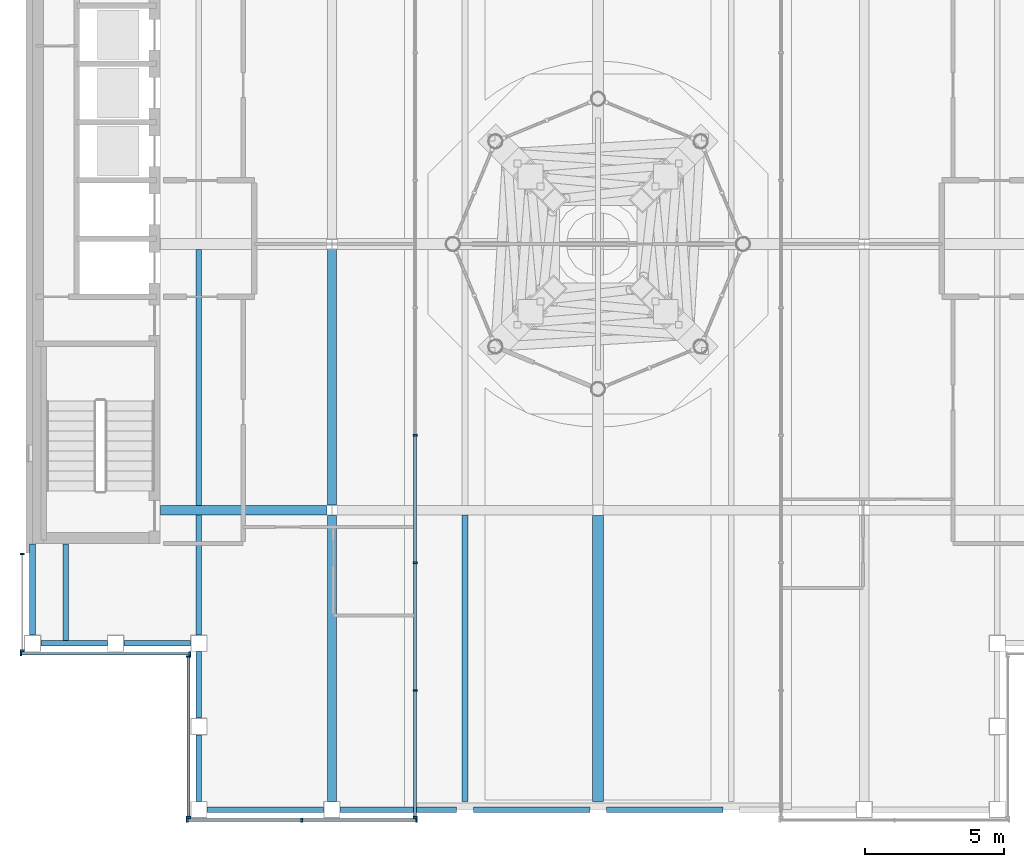
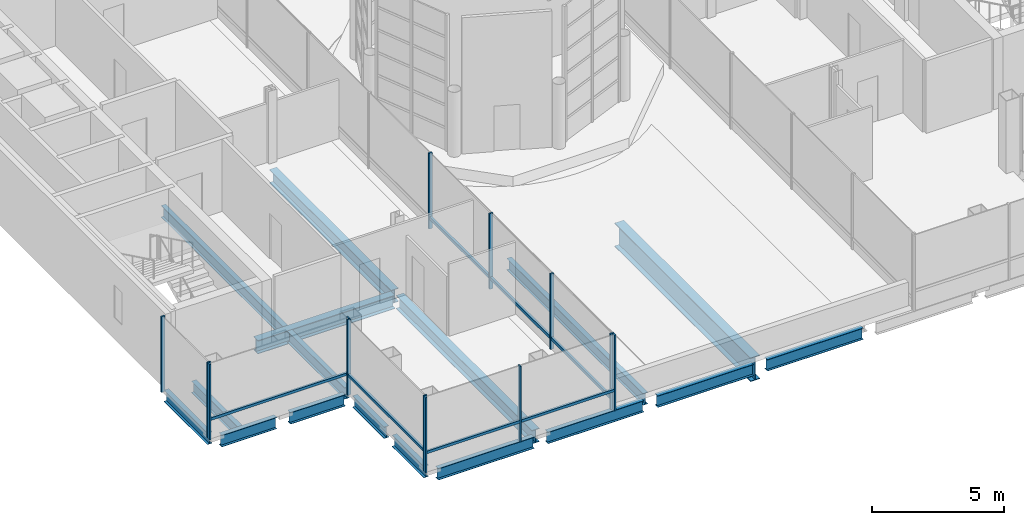
# One storey, part 5 of 32: 20 members, 17 beams, 5 elements without a shape of their own.
"""IFC4 building model written with IfcOpenShell, lengths in metres."""

from ifc_helpers import new_model, si_unit, direction, frame, origin, origin_2d, place, context, subcontext, project, spatial, rectangle, i_section, extrude, material, material_profile, profile_set, type_object, element, aggregate, save


model = new_model("IFC4")

# Units and contexts
model_context = context("Model", 3, precision=1e-05, world=origin(), true_north=direction((0.0, 1.0)))
body_context = subcontext(model_context, "Body", "Model", "MODEL_VIEW")
ifc_project = project(units=[si_unit("LENGTHUNIT", "METRE"), si_unit("AREAUNIT", "SQUARE_METRE"), si_unit("VOLUMEUNIT", "CUBIC_METRE"), si_unit("PLANEANGLEUNIT", "RADIAN"), si_unit("MASSUNIT", "GRAM", prefix="KILO")], contexts=[model_context])

# Site, building, storey
site_placement = place(None, origin())
site = spatial("IfcSite", under=ifc_project, at=site_placement, CompositionType="ELEMENT")
building_placement = place(site_placement, origin())
building = spatial("IfcBuilding", under=site, at=building_placement, Name="Cobrizo Arcos Hotel Tower", CompositionType="ELEMENT")
storey_placement = place(building_placement, frame((0.0, 0.0, 265.5)))
storey = spatial("IfcBuildingStorey", under=building, at=storey_placement, Name="L70", CompositionType="ELEMENT", Elevation=265.5)

# Curtain wall, members
ifc_material_1 = material(Name="Aluminium 6063-T6 anodised bronze", Category="aluminium")
curtain_wall_type_1 = type_object("IfcCurtainWallType", Name="CW-A guest facade", PredefinedType="NOTDEFINED", material=ifc_material_1)
curtain_wall_1_placement = place(storey_placement, origin())
curtain_wall_1 = element("IfcCurtainWall", 1, at=curtain_wall_1_placement, inside=storey, type_object=curtain_wall_type_1, Name="CW-A L70 S face", PredefinedType="NOTDEFINED")
ifc_material_profile_1 = material_profile(ifc_material_1, rectangle(XDim=0.14990234375, YDim=0.06005859375, at=origin_2d()), Name="CW-A mullion 150x60")
ifc_profile_set_1 = profile_set([ifc_material_profile_1], Name="Aluminium 6063-T6 anodised bronze")
member_type_1 = type_object("IfcMemberType", Name="CW-A mullion 150x60", PredefinedType="MULLION", material=ifc_profile_set_1)
member_1_placement = place(storey_placement, frame((-14.820068359375, -20.77490234375, 0.0), z_axis=(0.0, 0.0, 1.0), x_axis=(0.0, -1.0, 0.0)))
member_1 = element("IfcMember", 2, at=member_1_placement, type_object=member_type_1, Name="CW-A mullion 1", PredefinedType="MULLION", context=body_context, shape_type="SweptSolid", body=[
    extrude(rectangle(XDim=0.14990234375, YDim=0.06005859375, at=origin_2d()), origin(), (0.0, 0.0, 1.0), 3.5),
])
member_2_placement = place(storey_placement, frame((-10.68701171875, -20.77490234375, 0.0), z_axis=(0.0, 0.0, 1.0), x_axis=(0.0, -1.0, 0.0)))
member_2 = element("IfcMember", 3, at=member_2_placement, type_object=member_type_1, Name="CW-A mullion 2", PredefinedType="MULLION", context=body_context, shape_type="SweptSolid", body=[
    extrude(rectangle(XDim=0.14990234375, YDim=0.06005859375, at=origin_2d()), origin(), (0.0, 0.0, 1.0), 3.5),
])
member_3_placement = place(storey_placement, frame((-6.553955078125, -20.77490234375, 0.0), z_axis=(0.0, 0.0, 1.0), x_axis=(0.0, -1.0, 0.0)))
member_3 = element("IfcMember", 4, at=member_3_placement, type_object=member_type_1, Name="CW-A mullion 3", PredefinedType="MULLION", context=body_context, shape_type="SweptSolid", body=[
    extrude(rectangle(XDim=0.14990234375, YDim=0.06005859375, at=origin_2d()), origin(), (0.0, 0.0, 1.0), 3.5),
])

curtain_wall_2_placement = place(storey_placement, origin())
curtain_wall_2 = element("IfcCurtainWall", 5, at=curtain_wall_2_placement, inside=storey, type_object=curtain_wall_type_1, Name="CW-A L70 W face", PredefinedType="NOTDEFINED")
member_4_placement = place(storey_placement, frame((-20.77490234375, -11.179931640625, 0.0), z_axis=(0.0, 0.0, 1.0), x_axis=(-1.0, 0.0, 0.0)))
member_4 = element("IfcMember", 6, at=member_4_placement, type_object=member_type_1, Name="CW-A mullion 1", PredefinedType="MULLION", context=body_context, shape_type="SweptSolid", body=[
    extrude(rectangle(XDim=0.14990234375, YDim=0.06005859375, at=origin_2d()), origin(), (0.0, 0.0, 1.0), 3.5),
])
member_5_placement = place(storey_placement, frame((-20.77490234375, -14.669921875, 0.0), z_axis=(0.0, 0.0, 1.0), x_axis=(-1.0, 0.0, 0.0)))
member_5 = element("IfcMember", 7, at=member_5_placement, type_object=member_type_1, Name="CW-A mullion 2", PredefinedType="MULLION", context=body_context, shape_type="SweptSolid", body=[
    extrude(rectangle(XDim=0.14990234375, YDim=0.06005859375, at=origin_2d()), origin(), (0.0, 0.0, 1.0), 3.5),
])
aggregate(curtain_wall_2, [member_4, member_5])

curtain_wall_3_placement = place(storey_placement, origin())
curtain_wall_3 = element("IfcCurtainWall", 8, at=curtain_wall_3_placement, inside=storey, type_object=curtain_wall_type_1, Name="CW-A L70 S face", PredefinedType="NOTDEFINED")
member_6_placement = place(storey_placement, frame((-20.820068359375, -14.77490234375, 0.0), z_axis=(0.0, 0.0, 1.0), x_axis=(0.0, -1.0, 0.0)))
member_6 = element("IfcMember", 9, at=member_6_placement, type_object=member_type_1, Name="CW-A mullion 1", PredefinedType="MULLION", context=body_context, shape_type="SweptSolid", body=[
    extrude(rectangle(XDim=0.14990234375, YDim=0.06005859375, at=origin_2d()), origin(), (0.0, 0.0, 1.0), 3.5),
])
member_7_placement = place(storey_placement, frame((-14.72998046875, -14.77490234375, 0.0), z_axis=(0.0, 0.0, 1.0), x_axis=(0.0, -1.0, 0.0)))
member_7 = element("IfcMember", 10, at=member_7_placement, type_object=member_type_1, Name="CW-A mullion 2", PredefinedType="MULLION", context=body_context, shape_type="SweptSolid", body=[
    extrude(rectangle(XDim=0.14990234375, YDim=0.06005859375, at=origin_2d()), origin(), (0.0, 0.0, 1.0), 3.5),
])

curtain_wall_4_placement = place(storey_placement, origin())
curtain_wall_4 = element("IfcCurtainWall", 11, at=curtain_wall_4_placement, inside=storey, type_object=curtain_wall_type_1, Name="CW-A L70 W face", PredefinedType="NOTDEFINED")
member_8_placement = place(storey_placement, frame((-14.77490234375, -14.8798828125, 0.0), z_axis=(0.0, 0.0, 1.0), x_axis=(-1.0, 0.0, 0.0)))
member_8 = element("IfcMember", 12, at=member_8_placement, type_object=member_type_1, Name="CW-A mullion 1", PredefinedType="MULLION", context=body_context, shape_type="SweptSolid", body=[
    extrude(rectangle(XDim=0.14990234375, YDim=0.06005859375, at=origin_2d()), origin(), (0.0, 0.0, 1.0), 3.5),
])
member_9_placement = place(storey_placement, frame((-14.77490234375, -20.669921875, 0.0), z_axis=(0.0, 0.0, 1.0), x_axis=(-1.0, 0.0, 0.0)))
member_9 = element("IfcMember", 13, at=member_9_placement, type_object=member_type_1, Name="CW-A mullion 2", PredefinedType="MULLION", context=body_context, shape_type="SweptSolid", body=[
    extrude(rectangle(XDim=0.14990234375, YDim=0.06005859375, at=origin_2d()), origin(), (0.0, 0.0, 1.0), 3.5),
])

# Member
ifc_material_profile_2 = material_profile(ifc_material_1, rectangle(XDim=0.10009765625, YDim=0.1201171875, at=origin_2d()), Name="CW-A transom 120x100")
ifc_profile_set_2 = profile_set([ifc_material_profile_2], Name="Aluminium 6063-T6 anodised bronze")
member_type_2 = type_object("IfcMemberType", Name="CW-A transom 120x100", PredefinedType="USERDEFINED", material=ifc_profile_set_2)
member_10_placement = place(storey_placement, frame((-14.7900390625, -20.77490234375, 0.929931640625), z_axis=(1.0, 0.0, 0.0), x_axis=(0.0, 1.0, 0.0)))
member_10 = element("IfcMember", 14, at=member_10_placement, type_object=member_type_2, Name="CW-A transom 2199", ObjectType="TRANSOM", PredefinedType="USERDEFINED", context=body_context, shape_type="SweptSolid", body=[
    extrude(rectangle(XDim=0.10009765625, YDim=0.1201171875, at=origin_2d()), origin(), (0.0, 0.0, 1.0), 4.072998046875),
])

member_11_placement = place(storey_placement, frame((-10.656982421875, -20.77490234375, 0.929931640625), z_axis=(1.0, 0.0, 0.0), x_axis=(0.0, 1.0, 0.0)))
member_11 = element("IfcMember", 15, at=member_11_placement, type_object=member_type_2, Name="CW-A transom 2200", ObjectType="TRANSOM", PredefinedType="USERDEFINED", context=body_context, shape_type="SweptSolid", body=[
    extrude(rectangle(XDim=0.10009765625, YDim=0.1201171875, at=origin_2d()), origin(), (0.0, 0.0, 1.0), 4.072998046875),
])

aggregate(curtain_wall_1, [member_1, member_2, member_3, member_10, member_11])

member_12_placement = place(storey_placement, frame((-20.7900390625, -14.77490234375, 0.929931640625), z_axis=(1.0, 0.0, 0.0), x_axis=(0.0, 1.0, 0.0)))
member_12 = element("IfcMember", 16, at=member_12_placement, type_object=member_type_2, Name="CW-A transom 2216", ObjectType="TRANSOM", PredefinedType="USERDEFINED", context=body_context, shape_type="SweptSolid", body=[
    extrude(rectangle(XDim=0.10009765625, YDim=0.1201171875, at=origin_2d()), origin(), (0.0, 0.0, 1.0), 6.030029296875),
])

aggregate(curtain_wall_3, [member_6, member_7, member_12])

member_13_placement = place(storey_placement, frame((-14.77490234375, -14.909912109375, 0.929931640625), z_axis=(0.0, -1.0, 0.0), x_axis=(1.0, 0.0, 0.0)))
member_13 = element("IfcMember", 17, at=member_13_placement, type_object=member_type_2, Name="CW-A transom 2217", ObjectType="TRANSOM", PredefinedType="USERDEFINED", context=body_context, shape_type="SweptSolid", body=[
    extrude(rectangle(XDim=0.10009765625, YDim=0.1201171875, at=origin_2d()), origin(), (0.0, 0.0, 1.0), 5.72998046875),
])

aggregate(curtain_wall_4, [member_8, member_9, member_13])

# Curtain wall, members
curtain_wall_type_2 = type_object("IfcCurtainWallType", Name="CW-C arch infill and crown glazing", PredefinedType="NOTDEFINED", material=ifc_material_1)
curtain_wall_5_placement = place(storey_placement, origin())
curtain_wall_5 = element("IfcCurtainWall", 18, at=curtain_wall_5_placement, inside=storey, type_object=curtain_wall_type_2, Name="CW-C L70 E face", PredefinedType="NOTDEFINED")
ifc_material_profile_3 = material_profile(ifc_material_1, rectangle(XDim=0.14990234375, YDim=0.070068359375, at=origin_2d()), Name="CW-C mullion 150x70")
ifc_profile_set_3 = profile_set([ifc_material_profile_3], Name="Aluminium 6063-T6 anodised bronze")
member_type_3 = type_object("IfcMemberType", Name="CW-C mullion 150x70", PredefinedType="MULLION", material=ifc_profile_set_3)
member_14_placement = place(storey_placement, frame((-6.59912109375, -20.6650390625, 0.0), z_axis=(0.0, 0.0, 1.0), x_axis=(1.0, 0.0, 0.0)))
member_14 = element("IfcMember", 19, at=member_14_placement, type_object=member_type_3, Name="CW-C mullion 1", PredefinedType="MULLION", context=body_context, shape_type="SweptSolid", body=[
    extrude(rectangle(XDim=0.14990234375, YDim=0.070068359375, at=origin_2d()), origin(), (0.0, 0.0, 1.0), 3.5),
])
member_15_placement = place(storey_placement, frame((-6.59912109375, -16.10009765625, 0.0), z_axis=(0.0, 0.0, 1.0), x_axis=(1.0, 0.0, 0.0)))
member_15 = element("IfcMember", 20, at=member_15_placement, type_object=member_type_3, Name="CW-C mullion 2", PredefinedType="MULLION", context=body_context, shape_type="SweptSolid", body=[
    extrude(rectangle(XDim=0.14990234375, YDim=0.070068359375, at=origin_2d()), origin(), (0.0, 0.0, 1.0), 3.5),
])
member_16_placement = place(storey_placement, frame((-6.59912109375, -11.5, 0.0), z_axis=(0.0, 0.0, 1.0), x_axis=(1.0, 0.0, 0.0)))
member_16 = element("IfcMember", 21, at=member_16_placement, type_object=member_type_3, Name="CW-C mullion 3", PredefinedType="MULLION", context=body_context, shape_type="SweptSolid", body=[
    extrude(rectangle(XDim=0.14990234375, YDim=0.070068359375, at=origin_2d()), origin(), (0.0, 0.0, 1.0), 3.5),
])
member_17_placement = place(storey_placement, frame((-6.59912109375, -6.89990234375, 0.0), z_axis=(0.0, 0.0, 1.0), x_axis=(1.0, 0.0, 0.0)))
member_17 = element("IfcMember", 22, at=member_17_placement, type_object=member_type_3, Name="CW-C mullion 4", PredefinedType="MULLION", context=body_context, shape_type="SweptSolid", body=[
    extrude(rectangle(XDim=0.14990234375, YDim=0.070068359375, at=origin_2d()), origin(), (0.0, 0.0, 1.0), 3.5),
])
ifc_material_profile_4 = material_profile(ifc_material_1, rectangle(XDim=0.10009765625, YDim=0.139892578125, at=origin_2d()), Name="CW-C transom 140x100")
ifc_profile_set_4 = profile_set([ifc_material_profile_4], Name="Aluminium 6063-T6 anodised bronze")
member_type_4 = type_object("IfcMemberType", Name="CW-C transom 140x100", PredefinedType="USERDEFINED", material=ifc_profile_set_4)
member_18_placement = place(storey_placement, frame((-6.59912109375, -20.6298828125, 0.5), z_axis=(0.0, 1.0, 0.0), x_axis=(-1.0, 0.0, 0.0)))
member_18 = element("IfcMember", 23, at=member_18_placement, type_object=member_type_4, Name="CW-C transom 2201", ObjectType="TRANSOM", PredefinedType="USERDEFINED", context=body_context, shape_type="SweptSolid", body=[
    extrude(rectangle(XDim=0.10009765625, YDim=0.139892578125, at=origin_2d()), origin(), (0.0, 0.0, 1.0), 4.494873046875),
])
member_19_placement = place(storey_placement, frame((-6.59912109375, -16.06494140625, 0.5), z_axis=(0.0, 1.0, 0.0), x_axis=(-1.0, 0.0, 0.0)))
member_19 = element("IfcMember", 24, at=member_19_placement, type_object=member_type_4, Name="CW-C transom 2202", ObjectType="TRANSOM", PredefinedType="USERDEFINED", context=body_context, shape_type="SweptSolid", body=[
    extrude(rectangle(XDim=0.10009765625, YDim=0.139892578125, at=origin_2d()), origin(), (0.0, 0.0, 1.0), 4.530029296875),
])
member_20_placement = place(storey_placement, frame((-6.59912109375, -11.465087890625, 0.5), z_axis=(0.0, 1.0, 0.0), x_axis=(-1.0, 0.0, 0.0)))
member_20 = element("IfcMember", 25, at=member_20_placement, type_object=member_type_4, Name="CW-C transom 2203", ObjectType="TRANSOM", PredefinedType="USERDEFINED", context=body_context, shape_type="SweptSolid", body=[
    extrude(rectangle(XDim=0.10009765625, YDim=0.139892578125, at=origin_2d()), origin(), (0.0, 0.0, 1.0), 4.530029296875),
])
aggregate(curtain_wall_5, [member_14, member_15, member_16, member_17, member_18, member_19, member_20])

# Beams
ifc_material_2 = material(Name="Steel ASTM A992 Grade 50", Category="steel")
ifc_material_profile_5 = material_profile(ifc_material_2, i_section(OverallWidth=0.209228515625, OverallDepth=0.533447265625, WebThickness=0.01025390625, FlangeThickness=0.015625, at=origin_2d()), Name="W21X62")
ifc_profile_set_5 = profile_set([ifc_material_profile_5], Name="Steel ASTM A992 Grade 50")
beam_type_1 = type_object("IfcBeamType", Name="W21X62 joist", PredefinedType="JOIST", material=ifc_profile_set_5)
beam_1_placement = place(storey_placement, frame((-19.199951171875, -14.31005859375, -0.5166015625), z_axis=(0.0, 1.0, 0.0), x_axis=(-1.0, 0.0, 0.0)))
element("IfcBeam", 26, at=beam_1_placement, inside=storey, type_object=beam_type_1, Name="Floor joist J1, L70, no. 001", PredefinedType="JOIST", context=body_context, shape_type="SweptSolid", body=[
    extrude(i_section(OverallWidth=0.209228515625, OverallDepth=0.533447265625, WebThickness=0.01025390625, FlangeThickness=0.015625, at=origin_2d()), origin(), (0.0, 0.0, 1.0), 3.5),
])
beam_2_placement = place(storey_placement, frame((-14.39990234375, -14.10009765625, -0.5166015625), z_axis=(0.0, 1.0, 0.0), x_axis=(-1.0, 0.0, 0.0)))
element("IfcBeam", 27, at=beam_2_placement, inside=storey, type_object=beam_type_1, Name="Floor joist J1, L70, no. 003", PredefinedType="JOIST", context=body_context, shape_type="SweptSolid", body=[
    extrude(i_section(OverallWidth=0.209228515625, OverallDepth=0.533447265625, WebThickness=0.01025390625, FlangeThickness=0.015625, at=origin_2d()), origin(), (0.0, 0.0, 1.0), 4.336181640625),
])
beam_3_placement = place(storey_placement, frame((-14.39990234375, -9.43603515625, -0.5166015625), z_axis=(0.0, 1.0, 0.0), x_axis=(-1.0, 0.0, 0.0)))
element("IfcBeam", 28, at=beam_3_placement, inside=storey, type_object=beam_type_1, Name="Floor joist J1, L70, no. 004", PredefinedType="JOIST", context=body_context, shape_type="SweptSolid", body=[
    extrude(i_section(OverallWidth=0.209228515625, OverallDepth=0.533447265625, WebThickness=0.01025390625, FlangeThickness=0.015625, at=origin_2d()), origin(), (0.0, 0.0, 1.0), 9.2353515625),
])
beam_4_placement = place(storey_placement, frame((-4.800048828125, -20.10009765625, -0.5166015625), z_axis=(0.0, 1.0, 0.0), x_axis=(-1.0, 0.0, 0.0)))
element("IfcBeam", 29, at=beam_4_placement, inside=storey, type_object=beam_type_1, Name="Floor joist J1, L70, no. 007", PredefinedType="JOIST", context=body_context, shape_type="SweptSolid", body=[
    extrude(i_section(OverallWidth=0.209228515625, OverallDepth=0.533447265625, WebThickness=0.01025390625, FlangeThickness=0.015625, at=origin_2d()), origin(), (0.0, 0.0, 1.0), 10.336181640625),
])
ifc_material_profile_6 = material_profile(ifc_material_2, i_section(OverallWidth=0.209228515625, OverallDepth=0.533447265625, WebThickness=0.01025390625, FlangeThickness=0.015625, at=origin_2d()), Name="W21X62")
ifc_profile_set_6 = profile_set([ifc_material_profile_6], Name="Steel ASTM A992 Grade 50")
beam_type_2 = type_object("IfcBeamType", Name="W21X62 spandrel", PredefinedType="SPANDREL", material=ifc_profile_set_6)
for number, where, z_axis, x_axis, name in (
    (30, (-14.699951171875, -14.39990234375, -0.5166015625), (-1.0, 0.0, 0.0), (0.0, -1.0, 0.0), "Spandrel beam W21X62, L70, no. 001"),
    (31, (-17.699951171875, -14.39990234375, -0.5166015625), (-1.0, 0.0, 0.0), (0.0, -1.0, 0.0), "Spandrel beam W21X62, L70, no. 002"),
):
    element("IfcBeam", number, at=place(storey_placement, frame(where, z_axis=z_axis, x_axis=x_axis)), inside=storey, type_object=beam_type_2, Name=name, PredefinedType="SPANDREL", context=body_context, shape_type="SweptSolid", body=[
        extrude(i_section(OverallWidth=0.209228515625, OverallDepth=0.533447265625, WebThickness=0.01025390625, FlangeThickness=0.015625, at=origin_2d()), origin(), (0.0, 0.0, 1.0), 2.400146484375),
    ])
beam_5_placement = place(storey_placement, frame((-20.39990234375, -14.10009765625, -0.5166015625), z_axis=(0.0, 1.0, 0.0), x_axis=(-1.0, 0.0, 0.0)))
element("IfcBeam", 32, at=beam_5_placement, inside=storey, type_object=beam_type_2, Name="Spandrel beam W21X62, L70, no. 003", PredefinedType="SPANDREL", context=body_context, shape_type="SweptSolid", body=[
    extrude(i_section(OverallWidth=0.209228515625, OverallDepth=0.533447265625, WebThickness=0.01025390625, FlangeThickness=0.015625, at=origin_2d()), origin(), (0.0, 0.0, 1.0), 3.2900390625),
])
for number, where, z_axis, x_axis, name in (
    (33, (4.5, -20.39990234375, -0.5166015625), (-1.0, 0.0, 0.0), (0.0, -1.0, 0.0), "Spandrel beam W21X62, L70, no. 027"),
    (34, (-0.300048828125, -20.39990234375, -0.5166015625), (-1.0, 0.0, 0.0), (0.0, -1.0, 0.0), "Spandrel beam W21X62, L70, no. 028"),
    (35, (-5.10009765625, -20.39990234375, -0.5166015625), (-1.0, 0.0, 0.0), (0.0, -1.0, 0.0), "Spandrel beam W21X62, L70, no. 029"),
):
    element("IfcBeam", number, at=place(storey_placement, frame(where, z_axis=z_axis, x_axis=x_axis)), inside=storey, type_object=beam_type_2, Name=name, PredefinedType="SPANDREL", context=body_context, shape_type="SweptSolid", body=[
        extrude(i_section(OverallWidth=0.209228515625, OverallDepth=0.533447265625, WebThickness=0.01025390625, FlangeThickness=0.015625, at=origin_2d()), origin(), (0.0, 0.0, 1.0), 4.199951171875),
    ])
beam_6_placement = place(storey_placement, frame((-9.89990234375, -20.39990234375, -0.5166015625), z_axis=(-1.0, 0.0, 0.0), x_axis=(0.0, -1.0, 0.0)))
element("IfcBeam", 36, at=beam_6_placement, inside=storey, type_object=beam_type_2, Name="Spandrel beam W21X62, L70, no. 030", PredefinedType="SPANDREL", context=body_context, shape_type="SweptSolid", body=[
    extrude(i_section(OverallWidth=0.209228515625, OverallDepth=0.533447265625, WebThickness=0.01025390625, FlangeThickness=0.015625, at=origin_2d()), origin(), (0.0, 0.0, 1.0), 4.2001953125),
])
for number, where, z_axis, x_axis, name in (
    (37, (-14.39990234375, -20.10009765625, -0.5166015625), (0.0, 1.0, 0.0), (-1.0, 0.0, 0.0), "Spandrel beam W21X62, L70, no. 031"),
    (38, (-14.39990234375, -17.10009765625, -0.5166015625), (0.0, 1.0, 0.0), (-1.0, 0.0, 0.0), "Spandrel beam W21X62, L70, no. 032"),
):
    element("IfcBeam", number, at=place(storey_placement, frame(where, z_axis=z_axis, x_axis=x_axis)), inside=storey, type_object=beam_type_2, Name=name, PredefinedType="SPANDREL", context=body_context, shape_type="SweptSolid", body=[
        extrude(i_section(OverallWidth=0.209228515625, OverallDepth=0.533447265625, WebThickness=0.01025390625, FlangeThickness=0.015625, at=origin_2d()), origin(), (0.0, 0.0, 1.0), 2.400146484375),
    ])
ifc_material_profile_7 = material_profile(ifc_material_2, i_section(OverallWidth=0.32763671875, OverallDepth=0.622314453125, WebThickness=0.015380859375, FlangeThickness=0.0244140625, at=origin_2d()), Name="W24X131")
ifc_profile_set_7 = profile_set([ifc_material_profile_7], Name="Steel ASTM A992 Grade 50")
beam_type_3 = type_object("IfcBeamType", Name="W24X131 girder", PredefinedType="BEAM", material=ifc_profile_set_7)
beam_7_placement = place(storey_placement, frame((-15.7900390625, -9.60009765625, -0.56103515625), z_axis=(1.0, 0.0, 0.0), x_axis=(0.0, 1.0, 0.0)))
element("IfcBeam", 39, at=beam_7_placement, inside=storey, type_object=beam_type_3, Name="Floor girder G1, L70, no. 001", PredefinedType="BEAM", context=body_context, shape_type="SweptSolid", body=[
    extrude(i_section(OverallWidth=0.32763671875, OverallDepth=0.622314453125, WebThickness=0.015380859375, FlangeThickness=0.0244140625, at=origin_2d()), origin(), (0.0, 0.0, 1.0), 6.005859375),
])
beam_8_placement = place(storey_placement, frame((-9.60009765625, -20.10009765625, -0.56103515625), z_axis=(0.0, 1.0, 0.0), x_axis=(-1.0, 0.0, 0.0)))
element("IfcBeam", 40, at=beam_8_placement, inside=storey, type_object=beam_type_3, Name="Floor girder G1, L70, no. 009", PredefinedType="BEAM", context=body_context, shape_type="SweptSolid", body=[
    extrude(i_section(OverallWidth=0.32763671875, OverallDepth=0.622314453125, WebThickness=0.015380859375, FlangeThickness=0.0244140625, at=origin_2d()), origin(), (0.0, 0.0, 1.0), 10.31591796875),
])
beam_9_placement = place(storey_placement, frame((-9.60009765625, -9.415771484375, -0.56103515625), z_axis=(0.0, 1.0, 0.0), x_axis=(-1.0, 0.0, 0.0)))
element("IfcBeam", 41, at=beam_9_placement, inside=storey, type_object=beam_type_3, Name="Floor girder G1, L70, no. 010", PredefinedType="BEAM", context=body_context, shape_type="SweptSolid", body=[
    extrude(i_section(OverallWidth=0.32763671875, OverallDepth=0.622314453125, WebThickness=0.015380859375, FlangeThickness=0.0244140625, at=origin_2d()), origin(), (0.0, 0.0, 1.0), 9.231689453125),
])
ifc_material_profile_8 = material_profile(ifc_material_2, i_section(OverallWidth=0.4013671875, OverallDepth=1.089599609375, WebThickness=0.01806640625, FlangeThickness=0.031005859375, at=origin_2d()), Name="W44X230")
ifc_profile_set_8 = profile_set([ifc_material_profile_8], Name="Steel ASTM A992 Grade 50")
beam_type_4 = type_object("IfcBeamType", Name="W44X230 crown transfer girder", PredefinedType="BEAM", material=ifc_profile_set_8)
beam_10_placement = place(storey_placement, frame((0.0, -20.10009765625, -0.794921875), z_axis=(0.0, 1.0, 0.0), x_axis=(-1.0, 0.0, 0.0)))
element("IfcBeam", 42, at=beam_10_placement, inside=storey, type_object=beam_type_4, Name="Crown transfer girder CG1, L70, no. 005", PredefinedType="BEAM", context=body_context, shape_type="SweptSolid", body=[
    extrude(i_section(OverallWidth=0.4013671875, OverallDepth=1.089599609375, WebThickness=0.01806640625, FlangeThickness=0.031005859375, at=origin_2d()), origin(), (0.0, 0.0, 1.0), 10.31591796875),
])

save(model, "model.ifc")
